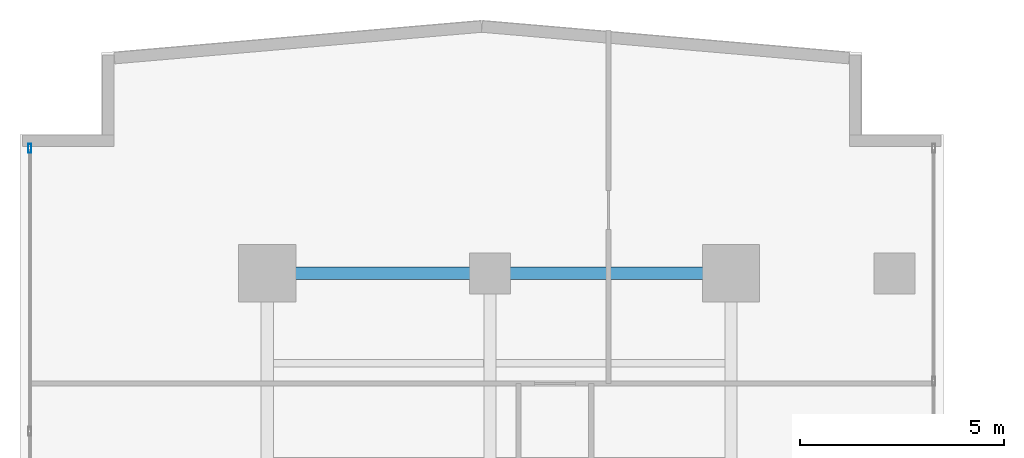
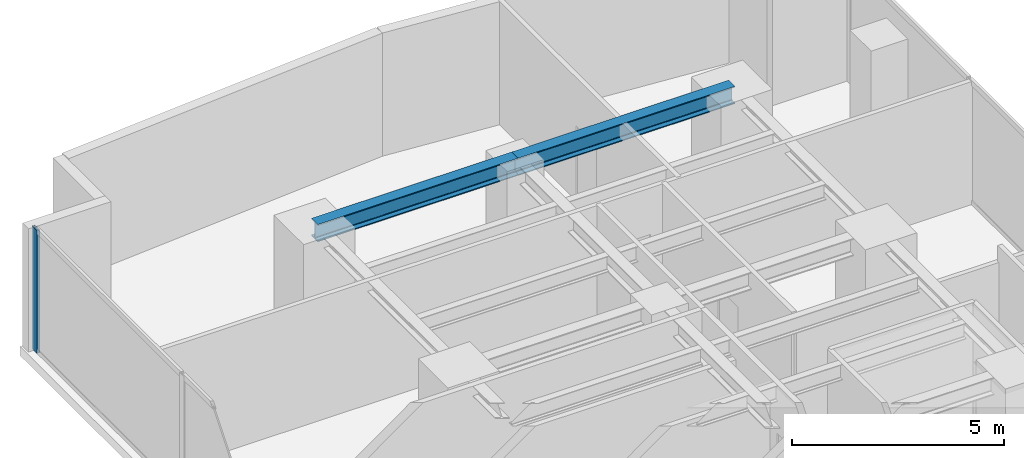
# One storey, part 18 of 28: 2 beams, 1 member, 1 element without a shape of its own.
"""IFC4 building model written with IfcOpenShell, lengths in metres."""

from ifc_helpers import new_model, si_unit, direction, frame, origin, origin_with_axes, origin_2d, place, context, subcontext, project, spatial, hollow_rectangle, i_section, extrude, source, transform, mapped, material, layer, layer_set, material_profile, profile_set, type_object, element, aggregate, save


model = new_model("IFC4")

# Units and contexts
model_context = context("Model", 3, precision=1e-05, world=origin(), true_north=direction((0.0, 1.0)))
body_context = subcontext(model_context, "Body", "Model", "MODEL_VIEW")
ifc_project = project(units=[si_unit("LENGTHUNIT", "METRE"), si_unit("AREAUNIT", "SQUARE_METRE"), si_unit("VOLUMEUNIT", "CUBIC_METRE"), si_unit("PLANEANGLEUNIT", "RADIAN"), si_unit("MASSUNIT", "GRAM", prefix="KILO")], contexts=[model_context])

# Site, building, storey
site_placement = place(None, origin())
site = spatial("IfcSite", under=ifc_project, at=site_placement, CompositionType="ELEMENT")
building_placement = place(site_placement, origin())
building = spatial("IfcBuilding", under=site, at=building_placement, Name="Kolvaren Waterfront Exchange", CompositionType="ELEMENT")
storey_placement = place(building_placement, frame((0.0, 0.0, 114.5)))
storey = spatial("IfcBuildingStorey", under=building, at=storey_placement, Name="L29", CompositionType="ELEMENT", Elevation=114.5)

# Beams
ifc_material_1 = material(Name="Steel S355", Category="steel")
ifc_material_profile_1 = material_profile(ifc_material_1, i_section(OverallWidth=0.300048828125, OverallDepth=0.5, WebThickness=0.014404296875, FlangeThickness=0.028076171875, FilletRadius=0.027099609375, at=origin_2d()), Name="HEB500")
ifc_profile_set_1 = profile_set([ifc_material_profile_1], Name="Steel S355")
beam_type = type_object("IfcBeamType", Name="STR-BM-HEB500", PredefinedType="BEAM", material=ifc_profile_set_1)
beam_1_placement = place(storey_placement, frame((7.449951171875, 44.60009765625, 3.2900390625), z_axis=(1.0, 0.0, 0.0), x_axis=(0.0, 1.0, 0.0)))
element("IfcBeam", 1, at=beam_1_placement, inside=storey, type_object=beam_type, Name="L29 north-arm girder 4A", PredefinedType="BEAM", context=body_context, shape_type="SweptSolid", body=[
    extrude(i_section(OverallWidth=0.300048828125, OverallDepth=0.5, WebThickness=0.014404296875, FlangeThickness=0.028076171875, FilletRadius=0.027099609375, at=origin_2d()), origin(), (0.0, 0.0, 1.0), 5.449951171875),
])
beam_2_placement = place(storey_placement, frame((12.89990234375, 44.60009765625, 3.2900390625), z_axis=(1.0, 0.0, 0.0), x_axis=(0.0, 1.0, 0.0)))
element("IfcBeam", 2, at=beam_2_placement, inside=storey, type_object=beam_type, Name="L29 north-arm girder 4B", PredefinedType="BEAM", context=body_context, shape_type="SweptSolid", body=[
    extrude(i_section(OverallWidth=0.300048828125, OverallDepth=0.5, WebThickness=0.014404296875, FlangeThickness=0.028076171875, FilletRadius=0.027099609375, at=origin_2d()), origin(), (0.0, 0.0, 1.0), 5.900146484375),
])

# Curtain wall, member
ifc_material_2 = material(Name="Anodised aluminium 6063-T6", Category="aluminium")
ifc_layer = layer(ifc_material_2, 0.219970703125, Name="Anodised aluminium 6063-T6")
ifc_layer_set = layer_set([ifc_layer], Name="Anodised aluminium 6063-T6")
curtain_wall_type = type_object("IfcCurtainWallType", Name="ARC-CW-SYS2", PredefinedType="USERDEFINED", material=ifc_layer_set)
curtain_wall_placement = place(storey_placement, origin())
curtain_wall = element("IfcCurtainWall", 3, at=curtain_wall_placement, inside=storey, type_object=curtain_wall_type, Name="L29 stick curtain wall CW2 (CW-L29-W)", ObjectType="STICK CURTAIN WALL", PredefinedType="USERDEFINED")
ifc_material_profile_2 = material_profile(ifc_material_2, hollow_rectangle(XDim=0.080078125, YDim=0.219970703125, WallThickness=0.0048828125, at=origin_2d()), Name="ALU-MUL-220x80x5")
ifc_profile_set_2 = profile_set([ifc_material_profile_2], Name="Anodised aluminium 6063-T6")
member_type = type_object("IfcMemberType", Name="ARC-CWM-220", PredefinedType="MULLION", material=ifc_profile_set_2)
shared_shape = source(origin_with_axes(), body_context, "Body", "SweptSolid", [
    extrude(hollow_rectangle(XDim=0.080078125, YDim=0.219970703125, WallThickness=0.0048828125, at=origin_2d()), origin(), (0.0, 0.0, 1.0), 3.5400390625),
])
member_placement = place(storey_placement, frame((1.639892578125, 47.659912109375, 0.0), z_axis=(0.0, 0.0, 1.0), x_axis=(-1.0, 0.0, 0.0)))
member = element("IfcMember", 4, at=member_placement, type_object=member_type, Name="CW2 mullion 7", PredefinedType="MULLION", context=body_context, shape_type="MappedRepresentation", body=[
    mapped(shared_shape, transform((0.0, 0.0, 0.0), x_axis=(1.0, 0.0, 0.0), y_axis=(0.0, 1.0, 0.0), z_axis=(0.0, 0.0, 1.0), scale=1.0)),
])
aggregate(curtain_wall, [member])

save(model, "model.ifc")
